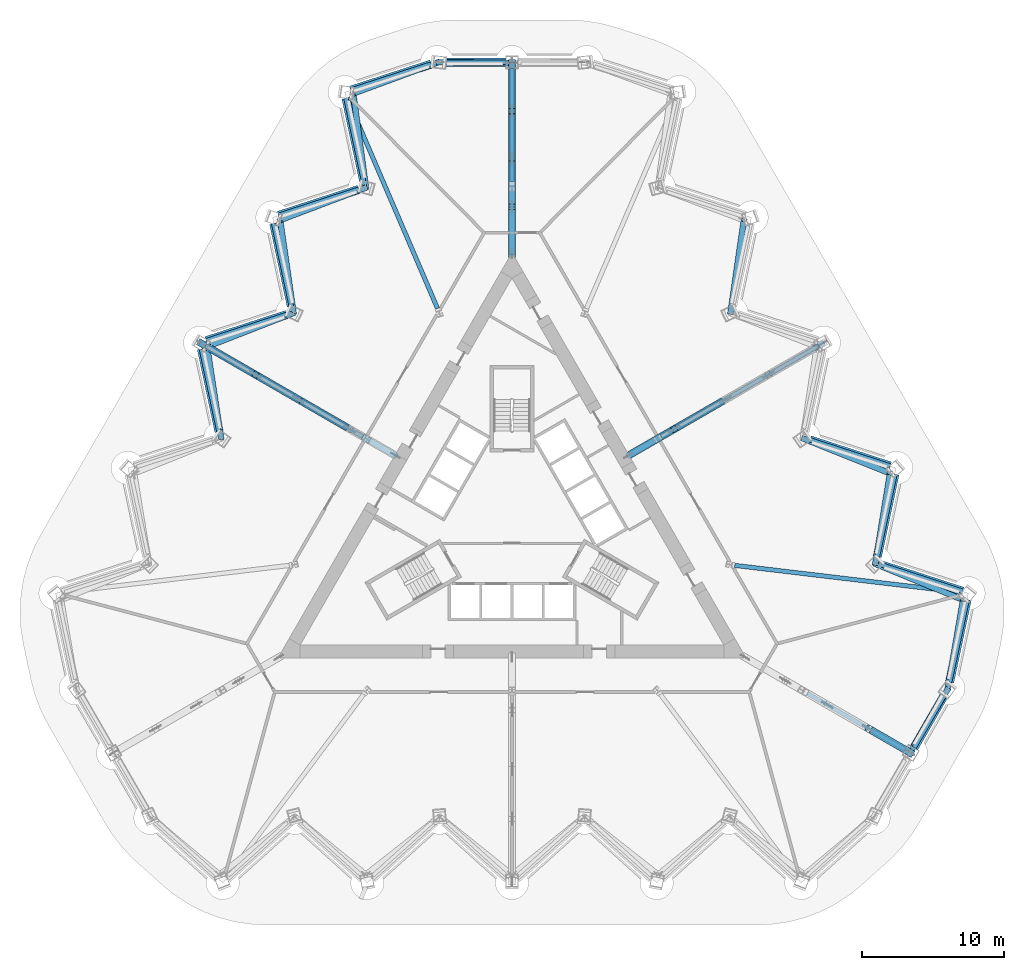
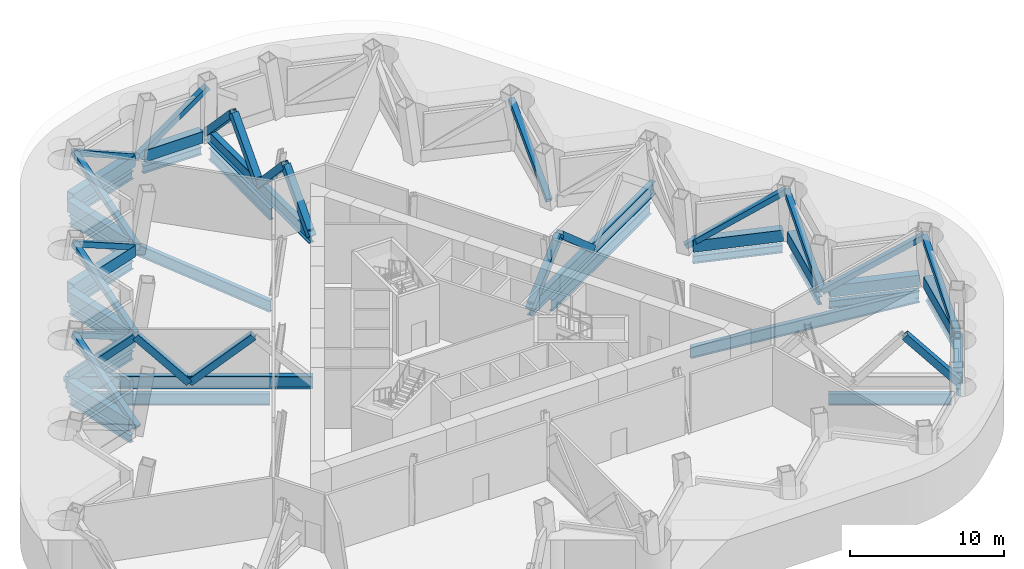
# One storey, part 3 of 13: 38 members, 18 beams.
"""IFC4 building model written with IfcOpenShell, lengths in metres."""

from ifc_helpers import new_model, si_unit, direction, frame, origin, origin_2d, place, context, subcontext, project, spatial, hollow_rectangle, i_section, extrude, material, material_profile, profile_set, type_object, element, save


model = new_model("IFC4")

# Units and contexts
model_context = context("Model", 3, precision=1e-05, world=origin(), true_north=direction((0.0, 1.0)))
body_context = subcontext(model_context, "Body", "Model", "MODEL_VIEW")
ifc_project = project(units=[si_unit("LENGTHUNIT", "METRE"), si_unit("AREAUNIT", "SQUARE_METRE"), si_unit("VOLUMEUNIT", "CUBIC_METRE"), si_unit("PLANEANGLEUNIT", "RADIAN"), si_unit("MASSUNIT", "GRAM", prefix="KILO")], contexts=[model_context])

# Site, building, storey
site_placement = place(None, origin())
site = spatial("IfcSite", under=ifc_project, at=site_placement, CompositionType="ELEMENT")
building_placement = place(site_placement, origin())
building = spatial("IfcBuilding", under=site, at=building_placement, Name="Cormorant Prow Tower", CompositionType="ELEMENT")
storey_placement = place(building_placement, frame((0.0, 0.0, 164.199951171875)))
storey = spatial("IfcBuildingStorey", under=building, at=storey_placement, Name="L34", CompositionType="ELEMENT", Elevation=164.199951171875)

# Members
ifc_material_1 = material(Name="Structural steel ASTM A572 Gr 50", Category="steel")
ifc_material_profile_1 = material_profile(ifc_material_1, hollow_rectangle(XDim=0.60009765625, YDim=0.89990234375, WallThickness=0.06005859375, at=origin_2d()), Name="Box 900x600x60")
ifc_profile_set_1 = profile_set([ifc_material_profile_1], Name="Structural steel ASTM A572 Gr 50")
member_type_1 = type_object("IfcMemberType", Name="Belt truss bottom chord 900x600x60", PredefinedType="CHORD", material=ifc_profile_set_1)
member_1_placement = place(storey_placement, frame((28.359619140625, -15.853759765625, 0.449951171875), z_axis=(0.500002967982, 0.866023690213, 0.0), x_axis=(-0.866023690213, 0.500002967982, 0.0)))
element("IfcMember", 1, at=member_1_placement, inside=storey, type_object=member_type_1, Name="Belt truss bottom chord ESE01-ENE00 L34", PredefinedType="CHORD", context=body_context, shape_type="SweptSolid", body=[
    extrude(hollow_rectangle(XDim=0.60009765625, YDim=0.89990234375, WallThickness=0.06005859375, at=origin_2d()), origin(), (0.0, 0.0, 1.0), 4.36962890625),
])
member_2_placement = place(storey_placement, frame((30.86279296875, -11.23974609375, 0.449951171875), z_axis=(0.207912620873, 0.978147403044, 0.0), x_axis=(-0.978147403044, 0.207912620873, 0.0)))
element("IfcMember", 2, at=member_2_placement, inside=storey, type_object=member_type_1, Name="Belt truss bottom chord ENE00-ENE01 L34", PredefinedType="CHORD", context=body_context, shape_type="SweptSolid", body=[
    extrude(hollow_rectangle(XDim=0.60009765625, YDim=0.89990234375, WallThickness=0.06005859375, at=origin_2d()), origin(), (0.0, 0.0, 1.0), 5.962890625),
])
for number, where, z_axis, x_axis, name in (
    (3, (31.768310546875, -4.828125, 0.449951171875), (-0.951059340519, 0.309008302174, 0.0), (-0.309008302174, -0.951059340519, 0.0), "Belt truss bottom chord ENE01-ENE02 L34"),
    (4, (25.762939453125, -2.40625, 0.449951171875), (0.207920947907, 0.978145633033, 0.0), (-0.978145633033, 0.207920947907, 0.0), "Belt truss bottom chord ENE02-ENE03 L34"),
):
    element("IfcMember", number, at=place(storey_placement, frame(where, z_axis=z_axis, x_axis=x_axis)), inside=storey, type_object=member_type_1, Name=name, PredefinedType="CHORD", context=body_context, shape_type="SweptSolid", body=[
        extrude(hollow_rectangle(XDim=0.60009765625, YDim=0.89990234375, WallThickness=0.06005859375, at=origin_2d()), origin(), (0.0, 0.0, 1.0), 5.962646484375),
    ])
member_3_placement = place(storey_placement, frame((26.668212890625, 4.00537109375, 0.449951171875), z_axis=(-0.951055430656, 0.309020335608, 0.0), x_axis=(-0.309020335608, -0.951055430656, 0.0)))
element("IfcMember", 5, at=member_3_placement, inside=storey, type_object=member_type_1, Name="Belt truss bottom chord ENE03-ENE04 L34", PredefinedType="CHORD", context=body_context, shape_type="SweptSolid", body=[
    extrude(hollow_rectangle(XDim=0.60009765625, YDim=0.89990234375, WallThickness=0.06005859375, at=origin_2d()), origin(), (0.0, 0.0, 1.0), 5.96240234375),
])
member_4_placement = place(storey_placement, frame((-0.449951171875, 32.487060546875, 0.449951171875), z_axis=(-1.0, 0.0, 0.0), x_axis=(0.0, -1.0, 0.0)))
element("IfcMember", 6, at=member_4_placement, inside=storey, type_object=member_type_1, Name="Belt truss bottom chord N01-WNW00 L34", PredefinedType="CHORD", context=body_context, shape_type="SweptSolid", body=[
    extrude(hollow_rectangle(XDim=0.60009765625, YDim=0.89990234375, WallThickness=0.06005859375, at=origin_2d()), origin(), (0.0, 0.0, 1.0), 4.36962890625),
])
member_5_placement = place(storey_placement, frame((-5.69775390625, 32.347900390625, 0.449951171875), z_axis=(-0.951055430656, -0.309020335608, 0.0), x_axis=(0.309020335608, -0.951055430656, 0.0)))
element("IfcMember", 7, at=member_5_placement, inside=storey, type_object=member_type_1, Name="Belt truss bottom chord WNW00-WNW01 L34", PredefinedType="CHORD", context=body_context, shape_type="SweptSolid", body=[
    extrude(hollow_rectangle(XDim=0.60009765625, YDim=0.89990234375, WallThickness=0.06005859375, at=origin_2d()), origin(), (0.0, 0.0, 1.0), 5.96240234375),
])
member_6_placement = place(storey_placement, frame((-11.702880859375, 29.926025390625, 0.449951171875), z_axis=(0.207920947907, -0.978145633033, 0.0), x_axis=(0.978145633033, 0.207920947907, 0.0)))
element("IfcMember", 8, at=member_6_placement, inside=storey, type_object=member_type_1, Name="Belt truss bottom chord WNW01-WNW02 L34", PredefinedType="CHORD", context=body_context, shape_type="SweptSolid", body=[
    extrude(hollow_rectangle(XDim=0.60009765625, YDim=0.89990234375, WallThickness=0.06005859375, at=origin_2d()), origin(), (0.0, 0.0, 1.0), 5.962646484375),
])
member_7_placement = place(storey_placement, frame((-10.797607421875, 23.5146484375, 0.449951171875), z_axis=(-0.95104730696, -0.309045336358, 0.0), x_axis=(0.309045336358, -0.95104730696, 0.0)))
element("IfcMember", 9, at=member_7_placement, inside=storey, type_object=member_type_1, Name="Belt truss bottom chord WNW02-WNW03 L34", PredefinedType="CHORD", context=body_context, shape_type="SweptSolid", body=[
    extrude(hollow_rectangle(XDim=0.60009765625, YDim=0.89990234375, WallThickness=0.06005859375, at=origin_2d()), origin(), (0.0, 0.0, 1.0), 5.962890625),
])
for number, where, z_axis, x_axis, name in (
    (10, (-16.802734375, 21.0927734375, 0.449951171875), (0.207920947907, -0.978145633033, 0.0), (0.978145633033, 0.207920947907, 0.0), "Belt truss bottom chord WNW03-WNW04 L34"),
    (11, (-15.8974609375, 14.68115234375, 0.449951171875), (-0.951059340519, -0.309008302174, 0.0), (0.309008302174, -0.951059340519, 0.0), "Belt truss bottom chord WNW04-WNW05 L34"),
):
    element("IfcMember", number, at=place(storey_placement, frame(where, z_axis=z_axis, x_axis=x_axis)), inside=storey, type_object=member_type_1, Name=name, PredefinedType="CHORD", context=body_context, shape_type="SweptSolid", body=[
        extrude(hollow_rectangle(XDim=0.60009765625, YDim=0.89990234375, WallThickness=0.06005859375, at=origin_2d()), origin(), (0.0, 0.0, 1.0), 5.962646484375),
    ])
member_8_placement = place(storey_placement, frame((-21.90283203125, 12.259521484375, 0.449951171875), z_axis=(0.207912620873, -0.978147403044, 0.0), x_axis=(0.978147403044, 0.207912620873, 0.0)))
element("IfcMember", 12, at=member_8_placement, inside=storey, type_object=member_type_1, Name="Belt truss bottom chord WNW05-WNW06 L34", PredefinedType="CHORD", context=body_context, shape_type="SweptSolid", body=[
    extrude(hollow_rectangle(XDim=0.60009765625, YDim=0.89990234375, WallThickness=0.06005859375, at=origin_2d()), origin(), (0.0, 0.0, 1.0), 5.962890625),
])
ifc_material_2 = material(Name="Structural steel ASTM A500 Gr C", Category="steel")
ifc_material_profile_2 = material_profile(ifc_material_2, hollow_rectangle(XDim=0.406494140625, YDim=0.406494140625, WallThickness=0.014892578125, at=origin_2d()), Name="HSS16x16x5/8")
ifc_profile_set_2 = profile_set([ifc_material_profile_2], Name="Structural steel ASTM A500 Gr C")
member_type_2 = type_object("IfcMemberType", Name="Belt truss diagonal HSS16x16x5/8", PredefinedType="BRACE", material=ifc_profile_set_2)
member_9_placement = place(storey_placement, frame((30.7265625, -11.73828125, 0.449951171875), z_axis=(-0.41434053676, -0.697157091774, 0.585058893605), x_axis=(0.859636243358, -0.510906575712, 0.0)))
element("IfcMember", 13, at=member_9_placement, inside=storey, type_object=member_type_2, Name="Belt truss diagonal ESE01-ENE00 L34", PredefinedType="BRACE", context=body_context, shape_type="SweptSolid", body=[
    extrude(hollow_rectangle(XDim=0.406494140625, YDim=0.406494140625, WallThickness=0.014892578125, at=origin_2d()), origin(), (0.0, 0.0, 1.0), 6.40966796875),
])
member_10_placement = place(storey_placement, frame((25.620849609375, -2.894775390625, 0.449951171875), z_axis=(0.806895712397, -0.33174394485, 0.488738441674), x_axis=(0.380252636196, 0.924882658863, 0.0)))
element("IfcMember", 14, at=member_10_placement, inside=storey, type_object=member_type_2, Name="Belt truss diagonal ENE01-ENE02 L34", PredefinedType="BRACE", context=body_context, shape_type="SweptSolid", body=[
    extrude(hollow_rectangle(XDim=0.406494140625, YDim=0.406494140625, WallThickness=0.014892578125, at=origin_2d()), origin(), (0.0, 0.0, 1.0), 7.6728515625),
])
member_11_placement = place(storey_placement, frame((20.51513671875, 5.94873046875, 0.449951171875), z_axis=(0.807588382557, -0.323613118956, 0.493026929892), x_axis=(0.371963095454, 0.92824751851, 0.0)))
element("IfcMember", 15, at=member_11_placement, inside=storey, type_object=member_type_2, Name="Belt truss diagonal ENE03-ENE04 L34", PredefinedType="BRACE", context=body_context, shape_type="SweptSolid", body=[
    extrude(hollow_rectangle(XDim=0.406494140625, YDim=0.406494140625, WallThickness=0.014892578125, at=origin_2d()), origin(), (0.0, 0.0, 1.0), 7.60595703125),
])
member_12_placement = place(storey_placement, frame((-5.19775390625, 32.47900390625, 0.449951171875), z_axis=(0.810928162718, -0.010208020085, 0.585056673525), x_axis=(0.012587072285, 0.999920779668, 0.0)))
element("IfcMember", 16, at=member_12_placement, inside=storey, type_object=member_type_2, Name="Belt truss diagonal N01-WNW00 L34", PredefinedType="BRACE", context=body_context, shape_type="SweptSolid", body=[
    extrude(hollow_rectangle(XDim=0.406494140625, YDim=0.406494140625, WallThickness=0.014892578125, at=origin_2d()), origin(), (0.0, 0.0, 1.0), 6.40966796875),
])
member_13_placement = place(storey_placement, frame((-10.303466796875, 23.6357421875, 0.449951171875), z_axis=(-0.116137679161, 0.86466888526, 0.488732808743), x_axis=(-0.991100030398, -0.133119231314, 0.0)))
element("IfcMember", 17, at=member_13_placement, inside=storey, type_object=member_type_2, Name="Belt truss diagonal WNW01-WNW02 L34", PredefinedType="BRACE", context=body_context, shape_type="SweptSolid", body=[
    extrude(hollow_rectangle(XDim=0.406494140625, YDim=0.406494140625, WallThickness=0.014892578125, at=origin_2d()), origin(), (0.0, 0.0, 1.0), 7.6728515625),
])
member_14_placement = place(storey_placement, frame((-15.4091796875, 14.792236328125, 0.449951171875), z_axis=(-0.123577772369, 0.861192631862, 0.493027164569), x_axis=(-0.989860754496, -0.142041144421, 0.0)))
element("IfcMember", 18, at=member_14_placement, inside=storey, type_object=member_type_2, Name="Belt truss diagonal WNW03-WNW04 L34", PredefinedType="BRACE", context=body_context, shape_type="SweptSolid", body=[
    extrude(hollow_rectangle(XDim=0.406494140625, YDim=0.406494140625, WallThickness=0.014892578125, at=origin_2d()), origin(), (0.0, 0.0, 1.0), 7.60595703125),
])
member_15_placement = place(storey_placement, frame((-20.51513671875, 5.94873046875, 0.449951171875), z_axis=(-0.131070923115, 0.857594977671, 0.497344214189), x_axis=(-0.988521368355, -0.151081118293, 0.0)))
element("IfcMember", 19, at=member_15_placement, inside=storey, type_object=member_type_2, Name="Belt truss diagonal WNW05-WNW06 L34", PredefinedType="BRACE", context=body_context, shape_type="SweptSolid", body=[
    extrude(hollow_rectangle(XDim=0.406494140625, YDim=0.406494140625, WallThickness=0.014892578125, at=origin_2d()), origin(), (0.0, 0.0, 1.0), 7.5400390625),
])
ifc_material_3 = material(Name="Structural steel ASTM A500 Gr C", Category="steel")
ifc_material_profile_3 = material_profile(ifc_material_3, hollow_rectangle(XDim=0.406494140625, YDim=0.406494140625, WallThickness=0.014892578125, at=origin_2d()), Name="HSS16x16x5/8")
ifc_profile_set_3 = profile_set([ifc_material_profile_3], Name="Structural steel ASTM A500 Gr C")
member_type_3 = type_object("IfcMemberType", Name="Belt truss strut HSS16x16x5/8", PredefinedType="STRUT", material=ifc_profile_set_3)
member_16_placement = place(storey_placement, frame((30.7265625, -11.73828125, 0.449951171875), z_axis=(0.14648622984, 0.849956201348, 0.50607928258), x_axis=(-0.985471362149, 0.169841674463, 0.0)))
element("IfcMember", 20, at=member_16_placement, inside=storey, type_object=member_type_3, Name="Belt truss strut ENE00-ENE01 L34", PredefinedType="STRUT", context=body_context, shape_type="SweptSolid", body=[
    extrude(hollow_rectangle(XDim=0.406494140625, YDim=0.406494140625, WallThickness=0.014892578125, at=origin_2d()), origin(), (0.0, 0.0, 1.0), 7.409912109375),
])
member_17_placement = place(storey_placement, frame((25.620849609375, -2.894775390625, 0.449951171875), z_axis=(0.138719868641, 0.85384414555, 0.501704069303), x_axis=(-0.987058188962, 0.160362500613, 0.0)))
element("IfcMember", 21, at=member_17_placement, inside=storey, type_object=member_type_3, Name="Belt truss strut ENE02-ENE03 L34", PredefinedType="STRUT", context=body_context, shape_type="SweptSolid", body=[
    extrude(hollow_rectangle(XDim=0.406494140625, YDim=0.406494140625, WallThickness=0.014892578125, at=origin_2d()), origin(), (0.0, 0.0, 1.0), 7.474609375),
])
member_18_placement = place(storey_placement, frame((15.4091796875, 14.792236328125, 0.449951171875), z_axis=(0.123577772369, 0.861192631862, 0.493027164569), x_axis=(-0.989860754496, 0.142041144421, 0.0)))
element("IfcMember", 22, at=member_18_placement, inside=storey, type_object=member_type_3, Name="Belt truss strut ENE06-ENE07 L34", PredefinedType="STRUT", context=body_context, shape_type="SweptSolid", body=[
    extrude(hollow_rectangle(XDim=0.406494140625, YDim=0.406494140625, WallThickness=0.014892578125, at=origin_2d()), origin(), (0.0, 0.0, 1.0), 7.60595703125),
])
member_19_placement = place(storey_placement, frame((-5.19775390625, 32.47900390625, 0.449951171875), z_axis=(-0.809326182085, -0.298089564358, 0.506096574393), x_axis=(0.345620379561, -0.938374420598, 0.0)))
element("IfcMember", 23, at=member_19_placement, inside=storey, type_object=member_type_3, Name="Belt truss strut WNW00-WNW01 L34", PredefinedType="STRUT", context=body_context, shape_type="SweptSolid", body=[
    extrude(hollow_rectangle(XDim=0.406494140625, YDim=0.406494140625, WallThickness=0.014892578125, at=origin_2d()), origin(), (0.0, 0.0, 1.0), 7.40966796875),
])
member_20_placement = place(storey_placement, frame((-10.303466796875, 23.6357421875, 0.449951171875), z_axis=(-0.808814767454, -0.30679631348, 0.501691831688), x_axis=(0.354658787029, -0.93499579934, 0.0)))
element("IfcMember", 24, at=member_20_placement, inside=storey, type_object=member_type_3, Name="Belt truss strut WNW02-WNW03 L34", PredefinedType="STRUT", context=body_context, shape_type="SweptSolid", body=[
    extrude(hollow_rectangle(XDim=0.406494140625, YDim=0.406494140625, WallThickness=0.014892578125, at=origin_2d()), origin(), (0.0, 0.0, 1.0), 7.474609375),
])
member_21_placement = place(storey_placement, frame((-15.4091796875, 14.792236328125, 0.449951171875), z_axis=(-0.808242279609, -0.315273418658, 0.497340013412), x_axis=(0.36340423421, -0.931631559447, 0.0)))
element("IfcMember", 25, at=member_21_placement, inside=storey, type_object=member_type_3, Name="Belt truss strut WNW04-WNW05 L34", PredefinedType="STRUT", context=body_context, shape_type="SweptSolid", body=[
    extrude(hollow_rectangle(XDim=0.406494140625, YDim=0.406494140625, WallThickness=0.014892578125, at=origin_2d()), origin(), (0.0, 0.0, 1.0), 7.5400390625),
])
ifc_material_4 = material(Name="Structural steel ASTM A992 Gr 50", Category="steel")
ifc_material_profile_4 = material_profile(ifc_material_4, i_section(OverallWidth=0.39990234375, OverallDepth=1.000244140625, WebThickness=0.01904296875, FlangeThickness=0.0361328125, at=origin_2d()), Name="W40x249")
ifc_profile_set_4 = profile_set([ifc_material_profile_4], Name="Structural steel ASTM A992 Gr 50")
member_type_4 = type_object("IfcMemberType", Name="Outrigger chord W40x249", PredefinedType="CHORD", material=ifc_profile_set_4)
member_22_placement = place(storey_placement, frame((0.0, 18.902587890625, 0.500244140625), z_axis=(0.0, 1.0, 0.0), x_axis=(-1.0, 0.0, 0.0)))
element("IfcMember", 26, at=member_22_placement, inside=storey, type_object=member_type_4, Name="Outrigger bottom chord 1 L34", PredefinedType="CHORD", context=body_context, shape_type="SweptSolid", body=[
    extrude(i_section(OverallWidth=0.39990234375, OverallDepth=1.000244140625, WebThickness=0.01904296875, FlangeThickness=0.0361328125, at=origin_2d()), origin(), (0.0, 0.0, 1.0), 13.58447265625),
])
for number, where, z_axis, x_axis, name in (
    (27, (-8.1201171875, 4.688232421875, 0.500244140625), (-0.866031059742, 0.499990203466, 0.0), (-0.499990203466, -0.866031059742, 0.0), "Outrigger bottom chord 2 L34"),
    (28, (8.1201171875, 4.688232421875, 0.500244140625), (0.866031059742, 0.499990203466, 0.0), (-0.499990203466, 0.866031059742, 0.0), "Outrigger bottom chord 6 L34"),
):
    element("IfcMember", number, at=place(storey_placement, frame(where, z_axis=z_axis, x_axis=x_axis)), inside=storey, type_object=member_type_4, Name=name, PredefinedType="CHORD", context=body_context, shape_type="SweptSolid", body=[
        extrude(i_section(OverallWidth=0.39990234375, OverallDepth=1.000244140625, WebThickness=0.01904296875, FlangeThickness=0.0361328125, at=origin_2d()), origin(), (0.0, 0.0, 1.0), 16.022705078125),
    ])
ifc_material_5 = material(Name="Structural steel ASTM A500 Gr C", Category="steel")
ifc_material_profile_5 = material_profile(ifc_material_5, hollow_rectangle(XDim=0.508056640625, YDim=0.508056640625, WallThickness=0.014892578125, at=origin_2d()), Name="HSS20x20x5/8")
ifc_profile_set_5 = profile_set([ifc_material_profile_5], Name="Structural steel ASTM A500 Gr C")
member_type_5 = type_object("IfcMemberType", Name="Outrigger diagonal HSS20x20x5/8", PredefinedType="BRACE", material=ifc_profile_set_5)
member_23_placement = place(storey_placement, frame((0.0, 18.902587890625, 0.500244140625), z_axis=(0.0, 0.678861304374, 0.734266524788), x_axis=(-1.0, 0.0, 0.0)))
element("IfcMember", 29, at=member_23_placement, inside=storey, type_object=member_type_5, Name="Outrigger diagonal 1.1 L34", PredefinedType="BRACE", context=body_context, shape_type="SweptSolid", body=[
    extrude(hollow_rectangle(XDim=0.508056640625, YDim=0.508056640625, WallThickness=0.014892578125, at=origin_2d()), origin(), (0.0, 0.0, 1.0), 4.970458984375),
])
member_24_placement = place(storey_placement, frame((0.0, 25.69482421875, 0.500244140625), z_axis=(0.0, 0.674078366681, 0.738659837525), x_axis=(-1.0, 0.0, 0.0)))
element("IfcMember", 30, at=member_24_placement, inside=storey, type_object=member_type_5, Name="Outrigger diagonal 1.3 L34", PredefinedType="BRACE", context=body_context, shape_type="SweptSolid", body=[
    extrude(hollow_rectangle(XDim=0.508056640625, YDim=0.508056640625, WallThickness=0.014892578125, at=origin_2d()), origin(), (0.0, 0.0, 1.0), 4.94091796875),
])
member_25_placement = place(storey_placement, frame((-15.05810546875, 8.69384765625, 0.500244140625), z_axis=(-0.599214804071, 0.345947903729, 0.721984533413), x_axis=(-0.499990325971, -0.866030989016, 0.0)))
element("IfcMember", 31, at=member_25_placement, inside=storey, type_object=member_type_5, Name="Outrigger diagonal 2.3 L34", PredefinedType="BRACE", context=body_context, shape_type="SweptSolid", body=[
    extrude(hollow_rectangle(XDim=0.508056640625, YDim=0.508056640625, WallThickness=0.014892578125, at=origin_2d()), origin(), (0.0, 0.0, 1.0), 5.054931640625),
])
member_26_placement = place(storey_placement, frame((8.1201171875, 4.688232421875, 0.500244140625), z_axis=(0.627445310409, 0.362228862329, 0.689276891924), x_axis=(-0.499972197867, 0.866041454758, 0.0)))
element("IfcMember", 32, at=member_26_placement, inside=storey, type_object=member_type_5, Name="Outrigger diagonal 6.1 L34", PredefinedType="BRACE", context=body_context, shape_type="SweptSolid", body=[
    extrude(hollow_rectangle(XDim=0.508056640625, YDim=0.508056640625, WallThickness=0.014892578125, at=origin_2d()), origin(), (0.0, 0.0, 1.0), 5.294921875),
])
ifc_material_6 = material(Name="Structural steel ASTM A500 Gr C", Category="steel")
ifc_material_profile_6 = material_profile(ifc_material_6, hollow_rectangle(XDim=0.508056640625, YDim=0.508056640625, WallThickness=0.014892578125, at=origin_2d()), Name="HSS20x20x5/8")
ifc_profile_set_6 = profile_set([ifc_material_profile_6], Name="Structural steel ASTM A500 Gr C")
member_type_6 = type_object("IfcMemberType", Name="Outrigger strut HSS20x20x5/8", PredefinedType="STRUT", material=ifc_profile_set_6)
member_27_placement = place(storey_placement, frame((0.0, 22.27685546875, 4.14990234375), z_axis=(0.0, 0.683559362694, -0.729894922351), x_axis=(-1.0, 0.0, 0.0)))
element("IfcMember", 33, at=member_27_placement, inside=storey, type_object=member_type_6, Name="Outrigger strut 1.2 L34", PredefinedType="STRUT", context=body_context, shape_type="SweptSolid", body=[
    extrude(hollow_rectangle(XDim=0.508056640625, YDim=0.508056640625, WallThickness=0.014892578125, at=origin_2d()), origin(), (0.0, 0.0, 1.0), 5.000244140625),
])
member_28_placement = place(storey_placement, frame((0.0, 29.025390625, 4.14990234375), z_axis=(0.0, 0.688173971391, -0.725545715376), x_axis=(-1.0, 0.0, 0.0)))
element("IfcMember", 34, at=member_28_placement, inside=storey, type_object=member_type_6, Name="Outrigger strut 1.4 L34", PredefinedType="STRUT", context=body_context, shape_type="SweptSolid", body=[
    extrude(hollow_rectangle(XDim=0.508056640625, YDim=0.508056640625, WallThickness=0.014892578125, at=origin_2d()), origin(), (0.0, 0.0, 1.0), 5.0302734375),
])
member_29_placement = place(storey_placement, frame((-11.4423828125, 6.606201171875, 4.14990234375), z_axis=(-0.652019196615, 0.376462940598, -0.658138755584), x_axis=(-0.500019406836, -0.866014198952, 0.0)))
element("IfcMember", 35, at=member_29_placement, inside=storey, type_object=member_type_6, Name="Outrigger strut 2.2 L34", PredefinedType="STRUT", context=body_context, shape_type="SweptSolid", body=[
    extrude(hollow_rectangle(XDim=0.508056640625, YDim=0.508056640625, WallThickness=0.014892578125, at=origin_2d()), origin(), (0.0, 0.0, 1.0), 5.54541015625),
])
member_30_placement = place(storey_placement, frame((-18.087158203125, 10.442626953125, 4.14990234375), z_axis=(-0.673446201652, 0.388791949043, -0.628737651043), x_axis=(-0.499978398512, -0.86603787505, 0.0)))
element("IfcMember", 36, at=member_30_placement, inside=storey, type_object=member_type_6, Name="Outrigger strut 2.4 L34", PredefinedType="STRUT", context=body_context, shape_type="SweptSolid", body=[
    extrude(hollow_rectangle(XDim=0.508056640625, YDim=0.508056640625, WallThickness=0.014892578125, at=origin_2d()), origin(), (0.0, 0.0, 1.0), 5.8046875),
])
member_31_placement = place(storey_placement, frame((25.13671875, -14.5126953125, 4.14990234375), z_axis=(0.595969406709, -0.34406931543, -0.725559627079), x_axis=(0.499984979461, 0.866034075723, 0.0)))
element("IfcMember", 37, at=member_31_placement, inside=storey, type_object=member_type_6, Name="Outrigger strut 5.4 L34", PredefinedType="STRUT", context=body_context, shape_type="SweptSolid", body=[
    extrude(hollow_rectangle(XDim=0.508056640625, YDim=0.508056640625, WallThickness=0.014892578125, at=origin_2d()), origin(), (0.0, 0.0, 1.0), 5.030029296875),
])
member_32_placement = place(storey_placement, frame((11.4423828125, 6.606201171875, 4.14990234375), z_axis=(0.652019196615, 0.376462940598, -0.658138755584), x_axis=(-0.500019406836, 0.866014198952, 0.0)))
element("IfcMember", 38, at=member_32_placement, inside=storey, type_object=member_type_6, Name="Outrigger strut 6.2 L34", PredefinedType="STRUT", context=body_context, shape_type="SweptSolid", body=[
    extrude(hollow_rectangle(XDim=0.508056640625, YDim=0.508056640625, WallThickness=0.014892578125, at=origin_2d()), origin(), (0.0, 0.0, 1.0), 5.54541015625),
])

# Beams
ifc_material_7 = material(Name="Structural steel ASTM A992 Gr 50", Category="steel")
ifc_material_profile_7 = material_profile(ifc_material_7, i_section(OverallWidth=0.3046875, OverallDepth=0.914794921875, WebThickness=0.0166015625, FlangeThickness=0.02587890625, at=origin_2d()), Name="W36x160")
ifc_profile_set_7 = profile_set([ifc_material_profile_7], Name="Structural steel ASTM A992 Gr 50")
beam_type_1 = type_object("IfcBeamType", Name="Radial floor beam W36x160", PredefinedType="BEAM", material=ifc_profile_set_7)
beam_1_placement = place(storey_placement, frame((0.0, 24.070068359375, -0.857421875), z_axis=(0.0, 1.0, 0.0), x_axis=(-1.0, 0.0, 0.0)))
element("IfcBeam", 39, at=beam_1_placement, inside=storey, type_object=beam_type_1, Name="Radial floor beam FB1 1 L34", PredefinedType="BEAM", context=body_context, shape_type="SweptSolid", body=[
    extrude(i_section(OverallWidth=0.3046875, OverallDepth=0.914794921875, WebThickness=0.0166015625, FlangeThickness=0.02587890625, at=origin_2d()), origin(), (0.0, 0.0, 1.0), 7.966796875),
])
beam_2_placement = place(storey_placement, frame((-5.25, 15.107666015625, -0.857421875), z_axis=(-0.394273140268, 0.918993302948, 0.0), x_axis=(-0.918993302948, -0.394273140268, 0.0)))
element("IfcBeam", 40, at=beam_2_placement, inside=storey, type_object=beam_type_1, Name="Radial floor beam FB1 2 L34", PredefinedType="BEAM", context=body_context, shape_type="SweptSolid", body=[
    extrude(i_section(OverallWidth=0.3046875, OverallDepth=0.914794921875, WebThickness=0.0166015625, FlangeThickness=0.02587890625, at=origin_2d()), origin(), (0.0, 0.0, 1.0), 16.153564453125),
])
beam_3_placement = place(storey_placement, frame((-10.516845703125, 6.07177734375, -0.857421875), z_axis=(-0.866021760006, 0.500006311156, 0.0), x_axis=(-0.500006311156, -0.866021760006, 0.0)))
element("IfcBeam", 41, at=beam_3_placement, inside=storey, type_object=beam_type_1, Name="Radial floor beam FB1 3 L34", PredefinedType="BEAM", context=body_context, shape_type="SweptSolid", body=[
    extrude(i_section(OverallWidth=0.3046875, OverallDepth=0.914794921875, WebThickness=0.0166015625, FlangeThickness=0.02587890625, at=origin_2d()), origin(), (0.0, 0.0, 1.0), 12.805419921875),
])
beam_4_placement = place(storey_placement, frame((20.84521484375, -12.034912109375, -0.857421875), z_axis=(0.866018715534, -0.50001158421, 0.0), x_axis=(0.50001158421, 0.866018715534, 0.0)))
element("IfcBeam", 42, at=beam_4_placement, inside=storey, type_object=beam_type_1, Name="Radial floor beam FB1 9 L34", PredefinedType="BEAM", context=body_context, shape_type="SweptSolid", body=[
    extrude(i_section(OverallWidth=0.3046875, OverallDepth=0.914794921875, WebThickness=0.0166015625, FlangeThickness=0.02587890625, at=origin_2d()), origin(), (0.0, 0.0, 1.0), 7.967041015625),
])
beam_5_placement = place(storey_placement, frame((15.70849609375, -3.00732421875, -0.857421875), z_axis=(0.993009167646, -0.118037252474, 0.0), x_axis=(0.118037252474, 0.993009167646, 0.0)))
element("IfcBeam", 43, at=beam_5_placement, inside=storey, type_object=beam_type_1, Name="Radial floor beam FB1 10 L34", PredefinedType="BEAM", context=body_context, shape_type="SweptSolid", body=[
    extrude(i_section(OverallWidth=0.3046875, OverallDepth=0.914794921875, WebThickness=0.0166015625, FlangeThickness=0.02587890625, at=origin_2d()), origin(), (0.0, 0.0, 1.0), 16.15380859375),
])
beam_6_placement = place(storey_placement, frame((10.516845703125, 6.07177734375, -0.857421875), z_axis=(0.866021760006, 0.500006311156, 0.0), x_axis=(-0.500006311156, 0.866021760006, 0.0)))
element("IfcBeam", 44, at=beam_6_placement, inside=storey, type_object=beam_type_1, Name="Radial floor beam FB1 11 L34", PredefinedType="BEAM", context=body_context, shape_type="SweptSolid", body=[
    extrude(i_section(OverallWidth=0.3046875, OverallDepth=0.914794921875, WebThickness=0.0166015625, FlangeThickness=0.02587890625, at=origin_2d()), origin(), (0.0, 0.0, 1.0), 12.805419921875),
])
ifc_material_8 = material(Name="Structural steel ASTM A992 Gr 50", Category="steel")
ifc_material_profile_8 = material_profile(ifc_material_8, i_section(OverallWidth=0.32373046875, OverallDepth=0.611083984375, WebThickness=0.0126953125, FlangeThickness=0.01904296875, at=origin_2d()), Name="W24x104")
ifc_profile_set_8 = profile_set([ifc_material_profile_8], Name="Structural steel ASTM A992 Gr 50")
beam_type_2 = type_object("IfcBeamType", Name="Spandrel beam W24x104", PredefinedType="SPANDREL", material=ifc_profile_set_8)
beam_7_placement = place(storey_placement, frame((28.359619140625, -15.853759765625, -0.70556640625), z_axis=(0.500002967982, 0.866023690213, 0.0), x_axis=(-0.866023690213, 0.500002967982, 0.0)))
element("IfcBeam", 45, at=beam_7_placement, inside=storey, type_object=beam_type_2, Name="Spandrel beam SB1 ESE01-ENE00 L34", PredefinedType="SPANDREL", context=body_context, shape_type="SweptSolid", body=[
    extrude(i_section(OverallWidth=0.32373046875, OverallDepth=0.611083984375, WebThickness=0.0126953125, FlangeThickness=0.01904296875, at=origin_2d()), origin(), (0.0, 0.0, 1.0), 4.36962890625),
])
beam_8_placement = place(storey_placement, frame((30.86279296875, -11.23974609375, -0.70556640625), z_axis=(0.207912620873, 0.978147403044, 0.0), x_axis=(-0.978147403044, 0.207912620873, 0.0)))
element("IfcBeam", 46, at=beam_8_placement, inside=storey, type_object=beam_type_2, Name="Spandrel beam SB1 ENE00-ENE01 L34", PredefinedType="SPANDREL", context=body_context, shape_type="SweptSolid", body=[
    extrude(i_section(OverallWidth=0.32373046875, OverallDepth=0.611083984375, WebThickness=0.0126953125, FlangeThickness=0.01904296875, at=origin_2d()), origin(), (0.0, 0.0, 1.0), 5.962890625),
])
for number, where, z_axis, x_axis, name in (
    (47, (31.768310546875, -4.828125, -0.70556640625), (-0.951059340519, 0.309008302174, 0.0), (-0.309008302174, -0.951059340519, 0.0), "Spandrel beam SB1 ENE01-ENE02 L34"),
    (48, (25.762939453125, -2.40625, -0.70556640625), (0.207920947907, 0.978145633033, 0.0), (-0.978145633033, 0.207920947907, 0.0), "Spandrel beam SB1 ENE02-ENE03 L34"),
):
    element("IfcBeam", number, at=place(storey_placement, frame(where, z_axis=z_axis, x_axis=x_axis)), inside=storey, type_object=beam_type_2, Name=name, PredefinedType="SPANDREL", context=body_context, shape_type="SweptSolid", body=[
        extrude(i_section(OverallWidth=0.32373046875, OverallDepth=0.611083984375, WebThickness=0.0126953125, FlangeThickness=0.01904296875, at=origin_2d()), origin(), (0.0, 0.0, 1.0), 5.962646484375),
    ])
beam_9_placement = place(storey_placement, frame((26.668212890625, 4.00537109375, -0.70556640625), z_axis=(-0.951055430656, 0.309020335608, 0.0), x_axis=(-0.309020335608, -0.951055430656, 0.0)))
element("IfcBeam", 49, at=beam_9_placement, inside=storey, type_object=beam_type_2, Name="Spandrel beam SB1 ENE03-ENE04 L34", PredefinedType="SPANDREL", context=body_context, shape_type="SweptSolid", body=[
    extrude(i_section(OverallWidth=0.32373046875, OverallDepth=0.611083984375, WebThickness=0.0126953125, FlangeThickness=0.01904296875, at=origin_2d()), origin(), (0.0, 0.0, 1.0), 5.96240234375),
])
beam_10_placement = place(storey_placement, frame((-0.449951171875, 32.487060546875, -0.70556640625), z_axis=(-1.0, 0.0, 0.0), x_axis=(0.0, -1.0, 0.0)))
element("IfcBeam", 50, at=beam_10_placement, inside=storey, type_object=beam_type_2, Name="Spandrel beam SB1 N01-WNW00 L34", PredefinedType="SPANDREL", context=body_context, shape_type="SweptSolid", body=[
    extrude(i_section(OverallWidth=0.32373046875, OverallDepth=0.611083984375, WebThickness=0.0126953125, FlangeThickness=0.01904296875, at=origin_2d()), origin(), (0.0, 0.0, 1.0), 4.36962890625),
])
beam_11_placement = place(storey_placement, frame((-5.69775390625, 32.347900390625, -0.70556640625), z_axis=(-0.951055430656, -0.309020335608, 0.0), x_axis=(0.309020335608, -0.951055430656, 0.0)))
element("IfcBeam", 51, at=beam_11_placement, inside=storey, type_object=beam_type_2, Name="Spandrel beam SB1 WNW00-WNW01 L34", PredefinedType="SPANDREL", context=body_context, shape_type="SweptSolid", body=[
    extrude(i_section(OverallWidth=0.32373046875, OverallDepth=0.611083984375, WebThickness=0.0126953125, FlangeThickness=0.01904296875, at=origin_2d()), origin(), (0.0, 0.0, 1.0), 5.96240234375),
])
beam_12_placement = place(storey_placement, frame((-11.702880859375, 29.926025390625, -0.70556640625), z_axis=(0.207920947907, -0.978145633033, 0.0), x_axis=(0.978145633033, 0.207920947907, 0.0)))
element("IfcBeam", 52, at=beam_12_placement, inside=storey, type_object=beam_type_2, Name="Spandrel beam SB1 WNW01-WNW02 L34", PredefinedType="SPANDREL", context=body_context, shape_type="SweptSolid", body=[
    extrude(i_section(OverallWidth=0.32373046875, OverallDepth=0.611083984375, WebThickness=0.0126953125, FlangeThickness=0.01904296875, at=origin_2d()), origin(), (0.0, 0.0, 1.0), 5.962646484375),
])
beam_13_placement = place(storey_placement, frame((-10.797607421875, 23.5146484375, -0.70556640625), z_axis=(-0.95104730696, -0.309045336358, 0.0), x_axis=(0.309045336358, -0.95104730696, 0.0)))
element("IfcBeam", 53, at=beam_13_placement, inside=storey, type_object=beam_type_2, Name="Spandrel beam SB1 WNW02-WNW03 L34", PredefinedType="SPANDREL", context=body_context, shape_type="SweptSolid", body=[
    extrude(i_section(OverallWidth=0.32373046875, OverallDepth=0.611083984375, WebThickness=0.0126953125, FlangeThickness=0.01904296875, at=origin_2d()), origin(), (0.0, 0.0, 1.0), 5.962890625),
])
for number, where, z_axis, x_axis, name in (
    (54, (-16.802734375, 21.0927734375, -0.70556640625), (0.207920947907, -0.978145633033, 0.0), (0.978145633033, 0.207920947907, 0.0), "Spandrel beam SB1 WNW03-WNW04 L34"),
    (55, (-15.8974609375, 14.68115234375, -0.70556640625), (-0.951059340519, -0.309008302174, 0.0), (0.309008302174, -0.951059340519, 0.0), "Spandrel beam SB1 WNW04-WNW05 L34"),
):
    element("IfcBeam", number, at=place(storey_placement, frame(where, z_axis=z_axis, x_axis=x_axis)), inside=storey, type_object=beam_type_2, Name=name, PredefinedType="SPANDREL", context=body_context, shape_type="SweptSolid", body=[
        extrude(i_section(OverallWidth=0.32373046875, OverallDepth=0.611083984375, WebThickness=0.0126953125, FlangeThickness=0.01904296875, at=origin_2d()), origin(), (0.0, 0.0, 1.0), 5.962646484375),
    ])
beam_14_placement = place(storey_placement, frame((-21.90283203125, 12.259521484375, -0.70556640625), z_axis=(0.207912620873, -0.978147403044, 0.0), x_axis=(0.978147403044, 0.207912620873, 0.0)))
element("IfcBeam", 56, at=beam_14_placement, inside=storey, type_object=beam_type_2, Name="Spandrel beam SB1 WNW05-WNW06 L34", PredefinedType="SPANDREL", context=body_context, shape_type="SweptSolid", body=[
    extrude(i_section(OverallWidth=0.32373046875, OverallDepth=0.611083984375, WebThickness=0.0126953125, FlangeThickness=0.01904296875, at=origin_2d()), origin(), (0.0, 0.0, 1.0), 5.962890625),
])

save(model, "model.ifc")
